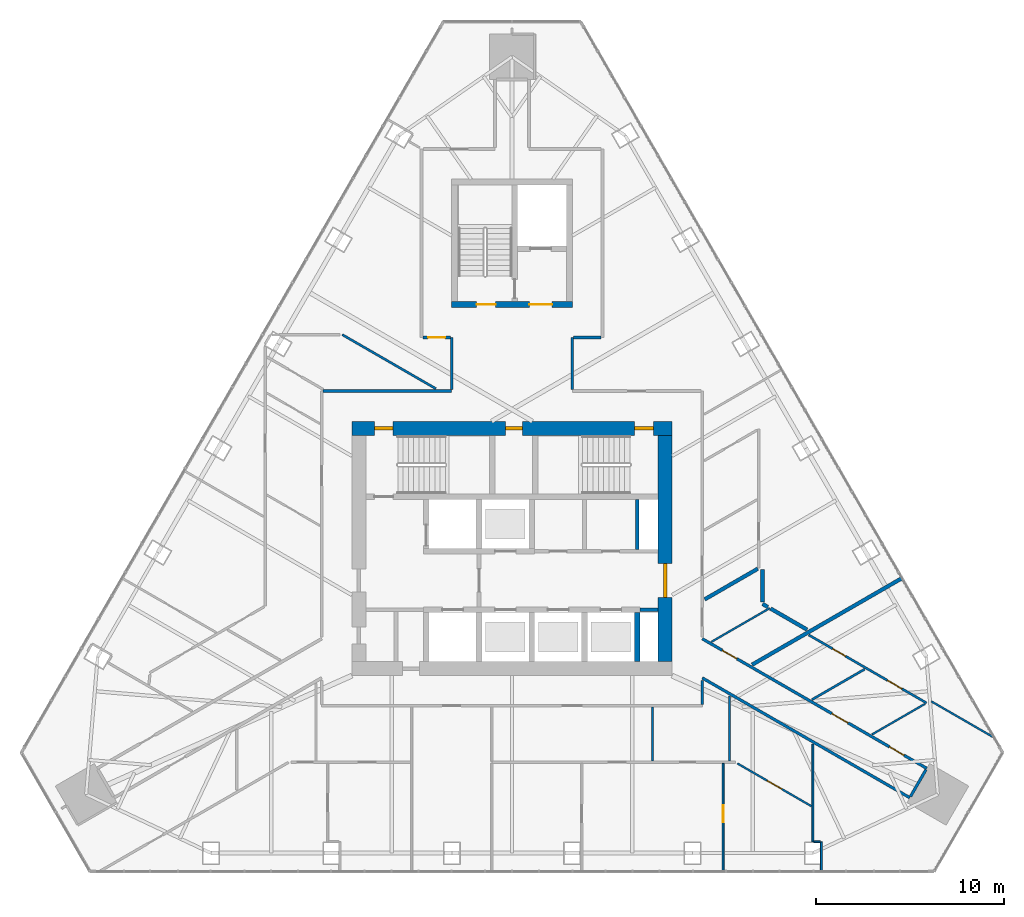
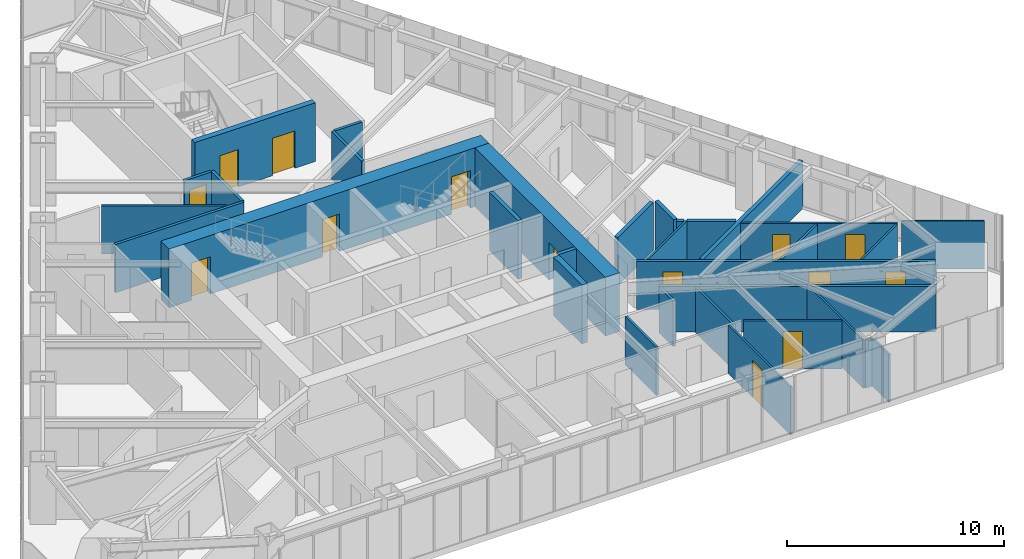
# One storey, part 18 of 21: 33 walls, 14 doors, 14 openings.
"""IFC4 building model written with IfcOpenShell, lengths in metres."""

from ifc_helpers import new_model, si_unit, direction, frame, frame_2d, origin, place, context, subcontext, project, spatial, rectangle, extrude, material, layer, layer_set, type_object, element, fill, save


model = new_model("IFC4")

# Units and contexts
model_context = context("Model", 3, precision=1e-05, world=origin(), true_north=direction((0.0, 1.0)))
body_context = subcontext(model_context, "Body", "Model", "MODEL_VIEW")
ifc_project = project(units=[si_unit("LENGTHUNIT", "METRE"), si_unit("AREAUNIT", "SQUARE_METRE"), si_unit("VOLUMEUNIT", "CUBIC_METRE"), si_unit("PLANEANGLEUNIT", "RADIAN"), si_unit("MASSUNIT", "GRAM", prefix="KILO")], contexts=[model_context])

# Site, building, storey
site_placement = place(None, origin())
site = spatial("IfcSite", under=ifc_project, at=site_placement, CompositionType="ELEMENT")
building_placement = place(site_placement, origin())
building = spatial("IfcBuilding", under=site, at=building_placement, Name="Firuza Gate Tower and Library", CompositionType="ELEMENT")
storey_placement = place(building_placement, frame((0.0, 0.0, 284.60009765625)))
storey = spatial("IfcBuildingStorey", under=building, at=storey_placement, Name="L68", CompositionType="ELEMENT", Elevation=284.60009765625)

# Walls
ifc_material_1 = material(Name="Plasterboard on steel studs", Category="steel")
ifc_layer_1 = layer(ifc_material_1, 0.199951171875)
ifc_layer_set_1 = layer_set([ifc_layer_1], Name="Core partition 200 EI 120")
wall_type_1 = type_object("IfcWallType", Name="Core partition 200 EI 120", PredefinedType="PARTITIONING", material=ifc_layer_set_1)
wall_1_placement = place(storey_placement, frame((81.800048828125, 71.75, 0.0), z_axis=(0.0, 0.0, 1.0), x_axis=(1.0, 0.0, 0.0)))
element("IfcWall", 1, at=wall_1_placement, inside=storey, type_object=wall_type_1, Name="Core partition L68 2", PredefinedType="PARTITIONING", context=body_context, shape_type="SweptSolid", body=[
    extrude(rectangle(XDim=0.949951171875, YDim=0.199951171875, at=frame_2d((0.47509765625, 0.0))), origin(), (0.0, 0.0, 1.0), 3.2998046875),
])
wall_2_placement = place(storey_placement, frame((81.64990234375, 74.949951171875, 0.0), z_axis=(0.0, 0.0, 1.0), x_axis=(0.0, 1.0, 0.0)))
element("IfcWall", 2, at=wall_2_placement, inside=storey, type_object=wall_type_1, Name="Core partition L68 7", PredefinedType="PARTITIONING", context=body_context, shape_type="SweptSolid", body=[
    extrude(rectangle(XDim=2.650146484375, YDim=0.199951171875, at=frame_2d((1.3251953125, 0.0))), origin(), (0.0, 0.0, 1.0), 3.2998046875),
])
ifc_material_2 = material(Name="Concrete C60/75", Category="concrete")
ifc_layer_2 = layer(ifc_material_2, 0.300048828125)
ifc_layer_set_2 = layer_set([ifc_layer_2], Name="Core wall 300 C60/75")
wall_type_2 = type_object("IfcWallType", Name="Core wall 300 C60/75", PredefinedType="SHEAR", material=ifc_layer_set_2)
wall_3_placement = place(storey_placement, frame((81.64990234375, 69.0, 0.0), z_axis=(0.0, 0.0, 1.0), x_axis=(0.0, 1.0, 0.0)))
element("IfcWall", 3, at=wall_3_placement, inside=storey, type_object=wall_type_2, Name="Core wall L68 14", PredefinedType="SHEAR", context=body_context, shape_type="SweptSolid", body=[
    extrude(rectangle(XDim=2.60009765625, YDim=0.300048828125, at=frame_2d((1.300048828125, 0.0))), origin(), (0.0, 0.0, 1.0), 3.2998046875),
])

# Wall, openings, doors
wall_4_placement = place(storey_placement, frame((71.800048828125, 87.949951171875, 0.0), z_axis=(0.0, 0.0, 1.0), x_axis=(1.0, 0.0, 0.0)))
wall_4 = element("IfcWall", 4, at=wall_4_placement, inside=storey, type_object=wall_type_2, Name="Core wall L68 18", PredefinedType="SHEAR", context=body_context, shape_type="SweptSolid", body=[
    extrude(rectangle(XDim=6.39990234375, YDim=0.300048828125, at=frame_2d((3.199951171875, 0.0))), origin(), (0.0, 0.0, 1.0), 3.2998046875),
])
opening_1_placement = place(wall_4_placement, frame((1.324951171875, 0.0, 0.0)))
opening_1 = element("IfcOpeningElement", 5, at=opening_1_placement, cuts=wall_4, Name="Opening L68-K11", PredefinedType="OPENING", context=body_context, shape_type="SweptSolid", body=[
    extrude(rectangle(XDim=1.0, YDim=2.10009765625, at=frame_2d((0.5, 1.050048828125))), frame((0.0, 0.16015625, 0.0), z_axis=(0.0, -1.0, 0.0), x_axis=(1.0, 0.0, 0.0)), (0.0, 0.0, 1.0), 0.320068359375),
])
opening_2_placement = place(wall_4_placement, frame((4.125, 0.0, 0.0)))
opening_2 = element("IfcOpeningElement", 6, at=opening_2_placement, cuts=wall_4, Name="Opening L68-K13", PredefinedType="OPENING", context=body_context, shape_type="SweptSolid", body=[
    extrude(rectangle(XDim=1.199951171875, YDim=2.10009765625, at=frame_2d((0.60009765625, 1.050048828125))), frame((0.0, 0.16015625, 0.0), z_axis=(0.0, -1.0, 0.0), x_axis=(1.0, 0.0, 0.0)), (0.0, 0.0, 1.0), 0.320068359375),
])
ifc_material_3 = material(Name="Steel", Category="steel")
door_type_1 = type_object("IfcDoorType", Name="Fire door 1000x2100 FD90", OperationType="NOTDEFINED", PredefinedType="DOOR", material=ifc_material_3)
door_1_placement = place(opening_1_placement, origin())
door_1 = element("IfcDoor", 7, at=door_1_placement, inside=storey, type_object=door_type_1, Name="Door L68-K11", OperationType="SINGLE_SWING_RIGHT", OverallHeight=2.10009765625, OverallWidth=1.0, PredefinedType="DOOR", context=body_context, shape_type="SweptSolid", body=[
    extrude(rectangle(XDim=1.0, YDim=2.10009765625, at=frame_2d((0.5, 1.050048828125))), frame((0.0, 0.02490234375, 0.0), z_axis=(0.0, -1.0, 0.0), x_axis=(1.0, 0.0, 0.0)), (0.0, 0.0, 1.0), 0.050048828125),
])
fill(opening_1, door_1)
ifc_material_4 = material(Name="Steel", Category="steel")
door_type_2 = type_object("IfcDoorType", Name="Fire door 1200x2100 FD30S", OperationType="NOTDEFINED", PredefinedType="DOOR", material=ifc_material_4)
door_2_placement = place(opening_2_placement, origin())
door_2 = element("IfcDoor", 8, at=door_2_placement, inside=storey, type_object=door_type_2, Name="Door L68-K13", OperationType="SINGLE_SWING_RIGHT", OverallHeight=2.10009765625, OverallWidth=1.199951171875, PredefinedType="DOOR", context=body_context, shape_type="SweptSolid", body=[
    extrude(rectangle(XDim=1.199951171875, YDim=2.10009765625, at=frame_2d((0.60009765625, 1.050048828125))), frame((0.0, 0.02490234375, 0.0), z_axis=(0.0, -1.0, 0.0), x_axis=(1.0, 0.0, 0.0)), (0.0, 0.0, 1.0), 0.050048828125),
])
fill(opening_2, door_2)

ifc_material_5 = material(Name="Concrete C60/75", Category="concrete")
ifc_layer_3 = layer(ifc_material_5, 0.75)
ifc_layer_set_3 = layer_set([ifc_layer_3], Name="Core wall 750 C60/75")
wall_type_3 = type_object("IfcWallType", Name="Core wall 750 C60/75", PredefinedType="SHEAR", material=ifc_layer_set_3)
wall_5_placement = place(storey_placement, frame((66.5, 81.375, 0.0), z_axis=(0.0, 0.0, 1.0), x_axis=(1.0, 0.0, 0.0)))
wall_5 = element("IfcWall", 9, at=wall_5_placement, inside=storey, type_object=wall_type_3, Name="Core wall L68 2", PredefinedType="SHEAR", context=body_context, shape_type="SweptSolid", body=[
    extrude(rectangle(XDim=17.0, YDim=0.75, at=frame_2d((8.5, 0.0))), origin(), (0.0, 0.0, 1.0), 3.2998046875),
])
opening_3_placement = place(wall_5_placement, frame((1.195068359375, 0.0, 0.0)))
opening_3 = element("IfcOpeningElement", 10, at=opening_3_placement, cuts=wall_5, Name="Opening L68-K09", PredefinedType="OPENING", context=body_context, shape_type="SweptSolid", body=[
    extrude(rectangle(XDim=1.0, YDim=2.10009765625, at=frame_2d((0.5, 1.050048828125))), frame((0.0, 0.385009765625, 0.0), z_axis=(0.0, -1.0, 0.0), x_axis=(1.0, 0.0, 0.0)), (0.0, 0.0, 1.0), 0.77001953125),
])
opening_4_placement = place(wall_5_placement, frame((15.0048828125, 0.0, 0.0)))
opening_4 = element("IfcOpeningElement", 11, at=opening_4_placement, cuts=wall_5, Name="Opening L68-K10", PredefinedType="OPENING", context=body_context, shape_type="SweptSolid", body=[
    extrude(rectangle(XDim=1.0, YDim=2.10009765625, at=frame_2d((0.5, 1.050048828125))), frame((0.0, 0.385009765625, 0.0), z_axis=(0.0, -1.0, 0.0), x_axis=(1.0, 0.0, 0.0)), (0.0, 0.0, 1.0), 0.77001953125),
])
opening_5_placement = place(wall_5_placement, frame((8.14990234375, 0.0, 0.0)))
opening_5 = element("IfcOpeningElement", 12, at=opening_5_placement, cuts=wall_5, Name="Opening L68-K21", PredefinedType="OPENING", context=body_context, shape_type="SweptSolid", body=[
    extrude(rectangle(XDim=0.89990234375, YDim=2.10009765625, at=frame_2d((0.449951171875, 1.050048828125))), frame((0.0, 0.385009765625, 0.0), z_axis=(0.0, -1.0, 0.0), x_axis=(1.0, 0.0, 0.0)), (0.0, 0.0, 1.0), 0.77001953125),
])
door_3_placement = place(opening_3_placement, origin())
door_3 = element("IfcDoor", 13, at=door_3_placement, inside=storey, type_object=door_type_1, Name="Door L68-K09", OperationType="SINGLE_SWING_RIGHT", OverallHeight=2.10009765625, OverallWidth=1.0, PredefinedType="DOOR", context=body_context, shape_type="SweptSolid", body=[
    extrude(rectangle(XDim=1.0, YDim=2.10009765625, at=frame_2d((0.5, 1.050048828125))), frame((0.0, 0.094970703125, 0.0), z_axis=(0.0, -1.0, 0.0), x_axis=(1.0, 0.0, 0.0)), (0.0, 0.0, 1.0), 0.18994140625),
])
fill(opening_3, door_3)
door_4_placement = place(opening_4_placement, origin())
door_4 = element("IfcDoor", 14, at=door_4_placement, inside=storey, type_object=door_type_1, Name="Door L68-K10", OperationType="SINGLE_SWING_LEFT", OverallHeight=2.10009765625, OverallWidth=1.0, PredefinedType="DOOR", context=body_context, shape_type="SweptSolid", body=[
    extrude(rectangle(XDim=1.0, YDim=2.10009765625, at=frame_2d((0.5, 1.050048828125))), frame((0.0, 0.094970703125, 0.0), z_axis=(0.0, -1.0, 0.0), x_axis=(1.0, 0.0, 0.0)), (0.0, 0.0, 1.0), 0.18994140625),
])
fill(opening_4, door_4)
ifc_material_6 = material(Name="Steel", Category="steel")
door_type_3 = type_object("IfcDoorType", Name="Fire door 900x2100 FD30S", OperationType="NOTDEFINED", PredefinedType="DOOR", material=ifc_material_6)
door_5_placement = place(opening_5_placement, origin())
door_5 = element("IfcDoor", 15, at=door_5_placement, inside=storey, type_object=door_type_3, Name="Door L68-K21", OperationType="SINGLE_SWING_RIGHT", OverallHeight=2.10009765625, OverallWidth=0.89990234375, PredefinedType="DOOR", context=body_context, shape_type="SweptSolid", body=[
    extrude(rectangle(XDim=0.89990234375, YDim=2.10009765625, at=frame_2d((0.449951171875, 1.050048828125))), frame((0.0, 0.094970703125, 0.0), z_axis=(0.0, -1.0, 0.0), x_axis=(1.0, 0.0, 0.0)), (0.0, 0.0, 1.0), 0.18994140625),
])
fill(opening_5, door_5)

# Wall, opening, door
wall_6_placement = place(storey_placement, frame((83.125, 69.0, 0.0), z_axis=(0.0, 0.0, 1.0), x_axis=(0.0, 1.0, 0.0)))
wall_6 = element("IfcWall", 16, at=wall_6_placement, inside=storey, type_object=wall_type_3, Name="Core wall L68 4", PredefinedType="SHEAR", context=body_context, shape_type="SweptSolid", body=[
    extrude(rectangle(XDim=12.0, YDim=0.75, at=frame_2d((6.0, 0.0))), origin(), (0.0, 0.0, 1.0), 3.2998046875),
])
opening_6_placement = place(wall_6_placement, frame((3.39990234375, 0.0, 0.0)))
opening_6 = element("IfcOpeningElement", 17, at=opening_6_placement, cuts=wall_6, Name="Opening L68-K16", PredefinedType="OPENING", context=body_context, shape_type="SweptSolid", body=[
    extrude(rectangle(XDim=1.800048828125, YDim=2.10009765625, at=frame_2d((0.89990234375, 1.050048828125))), frame((0.0, 0.385009765625, 0.0), z_axis=(0.0, -1.0, 0.0), x_axis=(1.0, 0.0, 0.0)), (0.0, 0.0, 1.0), 0.77001953125),
])
ifc_material_7 = material(Name="Steel", Category="steel")
door_type_4 = type_object("IfcDoorType", Name="Fire door 1800x2100 FD30S", OperationType="NOTDEFINED", PredefinedType="DOOR", material=ifc_material_7)
door_6_placement = place(opening_6_placement, origin())
door_6 = element("IfcDoor", 18, at=door_6_placement, inside=storey, type_object=door_type_4, Name="Door L68-K16", OperationType="SINGLE_SWING_LEFT", OverallHeight=2.10009765625, OverallWidth=1.800048828125, PredefinedType="DOOR", context=body_context, shape_type="SweptSolid", body=[
    extrude(rectangle(XDim=1.800048828125, YDim=2.10009765625, at=frame_2d((0.89990234375, 1.050048828125))), frame((0.0, 0.094970703125, 0.0), z_axis=(0.0, -1.0, 0.0), x_axis=(1.0, 0.0, 0.0)), (0.0, 0.0, 1.0), 0.18994140625),
])
fill(opening_6, door_6)

# Wall
ifc_material_8 = material(Name="Gypsum board partition")
ifc_layer_4 = layer(ifc_material_8, 0.14990234375)
ifc_layer_set_4 = layer_set([ifc_layer_4], Name="Corridor wall 150 double board on steel studs")
wall_type_4 = type_object("IfcWallType", Name="Corridor wall 150 double board on steel studs", PredefinedType="PARTITIONING", material=ifc_layer_set_4)
wall_7_placement = place(storey_placement, frame((64.97509765625, 83.35009765625, 0.0), z_axis=(0.0, 0.0, 1.0), x_axis=(1.0, 0.0, 0.0)))
element("IfcWall", 19, at=wall_7_placement, inside=storey, type_object=wall_type_4, Name="f:L68:w005", PredefinedType="PARTITIONING", context=body_context, shape_type="SweptSolid", body=[
    extrude(rectangle(XDim=6.824951171875, YDim=0.14990234375, at=frame_2d((3.41259765625, 0.0))), origin(), (0.0, 0.0, 1.0), 2.699951171875),
])

# Wall, opening, door
wall_8_placement = place(storey_placement, frame((70.275634765625, 86.199951171875, 0.0), z_axis=(0.0, 0.0, 1.0), x_axis=(1.0, 0.0, 0.0)))
wall_8 = element("IfcWall", 20, at=wall_8_placement, inside=storey, type_object=wall_type_4, Name="f:L68:w007", PredefinedType="PARTITIONING", context=body_context, shape_type="SweptSolid", body=[
    extrude(rectangle(XDim=1.44921875, YDim=0.14990234375, at=frame_2d((0.724609375, 0.0))), origin(), (0.0, 0.0, 1.0), 2.699951171875),
])
opening_7_placement = place(wall_8_placement, frame((0.274658203125, 0.0, 0.0)))
opening_7 = element("IfcOpeningElement", 21, at=opening_7_placement, cuts=wall_8, Name="Opening L68-08", PredefinedType="OPENING", context=body_context, shape_type="SweptSolid", body=[
    extrude(rectangle(XDim=0.89990234375, YDim=2.10009765625, at=frame_2d((0.449951171875, 1.050048828125))), frame((0.0, 0.0849609375, 0.0), z_axis=(0.0, -1.0, 0.0), x_axis=(1.0, 0.0, 0.0)), (0.0, 0.0, 1.0), 0.169921875),
])
ifc_material_9 = material(Name="Steel door and timber leaf", Category="steel")
door_type_5 = type_object("IfcDoorType", Name="Fire door 900 x 2100 steel frame, timber leaf", OperationType="NOTDEFINED", PredefinedType="DOOR", material=ifc_material_9)
door_7_placement = place(opening_7_placement, origin())
door_7 = element("IfcDoor", 22, at=door_7_placement, inside=storey, type_object=door_type_5, Name="f:L68:d008", OperationType="SINGLE_SWING_RIGHT", OverallHeight=2.10009765625, OverallWidth=0.89990234375, PredefinedType="DOOR", context=body_context, shape_type="SweptSolid", body=[
    extrude(rectangle(XDim=0.89990234375, YDim=2.10009765625, at=frame_2d((0.449951171875, 1.050048828125))), frame((0.0, 0.02490234375, 0.0), z_axis=(0.0, -1.0, 0.0), x_axis=(1.0, 0.0, 0.0)), (0.0, 0.0, 1.0), 0.050048828125),
])
fill(opening_7, door_7)

# Walls
wall_9_placement = place(storey_placement, frame((78.275146484375, 86.199951171875, 0.0), z_axis=(0.0, 0.0, 1.0), x_axis=(1.0, 0.0, 0.0)))
element("IfcWall", 23, at=wall_9_placement, inside=storey, type_object=wall_type_4, Name="f:L68:w008", PredefinedType="PARTITIONING", context=body_context, shape_type="SweptSolid", body=[
    extrude(rectangle(XDim=1.44775390625, YDim=0.14990234375, at=frame_2d((0.723876953125, 0.0))), origin(), (0.0, 0.0, 1.0), 2.699951171875),
])
wall_10_placement = place(storey_placement, frame((96.15283203125, 61.83544921875, 0.0), z_axis=(0.0, 0.0, 1.0), x_axis=(0.500008692254, 0.866020385251, 0.0)))
element("IfcWall", 24, at=wall_10_placement, inside=storey, type_object=wall_type_4, Name="f:L68:w029", PredefinedType="PARTITIONING", context=body_context, shape_type="SweptSolid", body=[
    extrude(rectangle(XDim=1.64892578125, YDim=0.14990234375, at=frame_2d((0.824462890625, 0.0))), origin(), (0.0, 0.0, 1.0), 2.546875),
])
wall_11_placement = place(storey_placement, frame((85.10009765625, 66.72509765625, 0.0), z_axis=(0.0, 0.0, 1.0), x_axis=(0.0, 1.0, 0.0)))
element("IfcWall", 25, at=wall_11_placement, inside=storey, type_object=wall_type_4, Name="f:L68:w041", PredefinedType="PARTITIONING", context=body_context, shape_type="SweptSolid", body=[
    extrude(rectangle(XDim=1.267822265625, YDim=0.14990234375, at=frame_2d((0.6337890625, 0.0))), origin(), (0.0, 0.0, 1.0), 2.546875),
])
for number, where, z_axis, x_axis, name in (
    (26, (78.199951171875, 83.425048828125, 0.0), (0.0, 0.0, 1.0), (0.0, 1.0, 0.0), "f:L68:w046"),
    (27, (71.800048828125, 83.425048828125, 0.0), (0.0, 0.0, 1.0), (0.0, 1.0, 0.0), "f:L68:w052"),
):
    element("IfcWall", number, at=place(storey_placement, frame(where, z_axis=z_axis, x_axis=x_axis)), inside=storey, type_object=wall_type_4, Name=name, PredefinedType="PARTITIONING", context=body_context, shape_type="SweptSolid", body=[
        extrude(rectangle(XDim=2.77490234375, YDim=0.14990234375, at=frame_2d((1.387451171875, 0.0))), origin(), (0.0, 0.0, 1.0), 2.697021484375),
    ])

# Wall, openings, doors
wall_12_placement = place(storey_placement, frame((97.01416015625, 63.329345703125, 0.0), z_axis=(0.0, 0.0, 1.0), x_axis=(-0.866023045711, 0.500004084281, 0.0)))
wall_12 = element("IfcWall", 28, at=wall_12_placement, inside=storey, type_object=wall_type_4, Name="f:L68:w071", PredefinedType="PARTITIONING", context=body_context, shape_type="SweptSolid", body=[
    extrude(rectangle(XDim=13.75732421875, YDim=0.14990234375, at=frame_2d((6.878662109375, 0.0))), origin(), (0.0, 0.0, 1.0), 2.699951171875),
])
opening_8_placement = place(wall_12_placement, frame((1.389892578125, 0.0, 0.0)))
opening_8 = element("IfcOpeningElement", 29, at=opening_8_placement, cuts=wall_12, Name="Opening L68-27", PredefinedType="OPENING", context=body_context, shape_type="SweptSolid", body=[
    extrude(rectangle(XDim=0.89990234375, YDim=2.10009765625, at=frame_2d((0.449951171875, 1.050048828125))), frame((0.0, 0.0849609375, 0.0), z_axis=(0.0, -1.0, 0.0), x_axis=(1.0, 0.0, 0.0)), (0.0, 0.0, 1.0), 0.169921875),
])
opening_9_placement = place(wall_12_placement, frame((4.821044921875, 0.0, 0.0)))
opening_9 = element("IfcOpeningElement", 30, at=opening_9_placement, cuts=wall_12, Name="Opening L68-28", PredefinedType="OPENING", context=body_context, shape_type="SweptSolid", body=[
    extrude(rectangle(XDim=1.0, YDim=2.10009765625, at=frame_2d((0.5, 1.050048828125))), frame((0.0, 0.0849609375, 0.0), z_axis=(0.0, -1.0, 0.0), x_axis=(1.0, 0.0, 0.0)), (0.0, 0.0, 1.0), 0.169921875),
])
opening_10_placement = place(wall_12_placement, frame((11.634033203125, 0.0, 0.0)))
opening_10 = element("IfcOpeningElement", 31, at=opening_10_placement, cuts=wall_12, Name="Opening L68-29", PredefinedType="OPENING", context=body_context, shape_type="SweptSolid", body=[
    extrude(rectangle(XDim=0.89990234375, YDim=2.10009765625, at=frame_2d((0.449951171875, 1.050048828125))), frame((0.0, 0.0849609375, 0.0), z_axis=(0.0, -1.0, 0.0), x_axis=(1.0, 0.0, 0.0)), (0.0, 0.0, 1.0), 0.169921875),
])
ifc_material_10 = material(Name="Steel door and timber leaf", Category="steel")
door_type_6 = type_object("IfcDoorType", Name="Fire door 1000 x 2100 steel frame, timber leaf", OperationType="NOTDEFINED", PredefinedType="DOOR", material=ifc_material_10)
door_8_placement = place(opening_9_placement, origin())
door_8 = element("IfcDoor", 32, at=door_8_placement, inside=storey, type_object=door_type_6, Name="f:L68:d028", OperationType="SINGLE_SWING_LEFT", OverallHeight=2.10009765625, OverallWidth=1.0, PredefinedType="DOOR", context=body_context, shape_type="SweptSolid", body=[
    extrude(rectangle(XDim=1.0, YDim=2.10009765625, at=frame_2d((0.5, 1.050048828125))), frame((0.0, 0.02490234375, 0.0), z_axis=(0.0, -1.0, 0.0), x_axis=(1.0, 0.0, 0.0)), (0.0, 0.0, 1.0), 0.050048828125),
])
fill(opening_9, door_8)
door_9_placement = place(opening_8_placement, origin())
door_9 = element("IfcDoor", 33, at=door_9_placement, inside=storey, type_object=door_type_5, Name="f:L68:d027", OperationType="SINGLE_SWING_LEFT", OverallHeight=2.10009765625, OverallWidth=0.89990234375, PredefinedType="DOOR", context=body_context, shape_type="SweptSolid", body=[
    extrude(rectangle(XDim=0.89990234375, YDim=2.10009765625, at=frame_2d((0.449951171875, 1.050048828125))), frame((0.0, 0.02490234375, 0.0), z_axis=(0.0, -1.0, 0.0), x_axis=(1.0, 0.0, 0.0)), (0.0, 0.0, 1.0), 0.050048828125),
])
fill(opening_8, door_9)
door_10_placement = place(opening_10_placement, origin())
door_10 = element("IfcDoor", 34, at=door_10_placement, inside=storey, type_object=door_type_5, Name="f:L68:d029", OperationType="SINGLE_SWING_LEFT", OverallHeight=2.10009765625, OverallWidth=0.89990234375, PredefinedType="DOOR", context=body_context, shape_type="SweptSolid", body=[
    extrude(rectangle(XDim=0.89990234375, YDim=2.10009765625, at=frame_2d((0.449951171875, 1.050048828125))), frame((0.0, 0.02490234375, 0.0), z_axis=(0.0, -1.0, 0.0), x_axis=(1.0, 0.0, 0.0)), (0.0, 0.0, 1.0), 0.050048828125),
])
fill(opening_10, door_10)

# Walls
wall_13_placement = place(storey_placement, frame((96.1142578125, 61.7705078125, 0.0), z_axis=(0.0, 0.0, 1.0), x_axis=(-0.866021912989, 0.500006046186, 0.0)))
element("IfcWall", 35, at=wall_13_placement, inside=storey, type_object=wall_type_4, Name="f:L68:w073", PredefinedType="PARTITIONING", context=body_context, shape_type="SweptSolid", body=[
    extrude(rectangle(XDim=12.718017578125, YDim=0.14990234375, at=frame_2d((6.35888671875, 0.0))), origin(), (0.0, 0.0, 1.0), 2.546875),
])
ifc_material_11 = material(Name="Gypsum board partition")
ifc_layer_5 = layer(ifc_material_11, 0.199951171875)
ifc_layer_set_5 = layer_set([ifc_layer_5], Name="Demising wall 200 acoustic double stud")
wall_type_5 = type_object("IfcWallType", Name="Demising wall 200 acoustic double stud", PredefinedType="PARTITIONING", material=ifc_layer_set_5)
wall_14_placement = place(storey_placement, frame((87.74072265625, 68.829833984375, 0.0), z_axis=(0.0, 0.0, 1.0), x_axis=(0.866026579827, 0.499997963029, 0.0)))
element("IfcWall", 36, at=wall_14_placement, inside=storey, type_object=wall_type_5, Name="f:L68:w017", PredefinedType="PARTITIONING", context=body_context, shape_type="SweptSolid", body=[
    extrude(rectangle(XDim=9.17919921875, YDim=0.199951171875, at=frame_2d((4.589599609375, 0.0))), origin(), (0.0, 0.0, 1.0), 2.68798828125),
])
wall_15_placement = place(storey_placement, frame((85.226806640625, 72.29736328125, 0.0), z_axis=(0.0, 0.0, 1.0), x_axis=(0.866002113569, 0.500040337666, 0.0)))
element("IfcWall", 37, at=wall_15_placement, inside=storey, type_object=wall_type_5, Name="f:L68:w019", PredefinedType="PARTITIONING", context=body_context, shape_type="SweptSolid", body=[
    extrude(rectangle(XDim=3.257568359375, YDim=0.199951171875, at=frame_2d((1.62890625, 0.0))), origin(), (0.0, 0.0, 1.0), 2.699951171875),
])
wall_16_placement = place(storey_placement, frame((88.300048828125, 72.17138671875, 0.0), z_axis=(0.0, 0.0, 1.0), x_axis=(0.0, 1.0, 0.0)))
element("IfcWall", 38, at=wall_16_placement, inside=storey, type_object=wall_type_5, Name="f:L68:w037", PredefinedType="PARTITIONING", context=body_context, shape_type="SweptSolid", body=[
    extrude(rectangle(XDim=1.7236328125, YDim=0.199951171875, at=frame_2d((0.86181640625, 0.0))), origin(), (0.0, 0.0, 1.0), 2.699951171875),
])
wall_17_placement = place(storey_placement, frame((90.66162109375, 70.692138671875, 0.0), z_axis=(0.0, 0.0, 1.0), x_axis=(-0.866034963436, 0.499983441833, 0.0)))
element("IfcWall", 39, at=wall_17_placement, inside=storey, type_object=wall_type_5, Name="f:L68:w068", PredefinedType="PARTITIONING", context=body_context, shape_type="SweptSolid", body=[
    extrude(rectangle(XDim=2.240234375, YDim=0.199951171875, at=frame_2d((1.1201171875, 0.0))), origin(), (0.0, 0.0, 1.0), 2.699951171875),
])
wall_18_placement = place(storey_placement, frame((88.583984375, 71.8916015625, 0.0), z_axis=(0.0, 0.0, 1.0), x_axis=(-0.865987003449, 0.500066505434, 0.0)))
element("IfcWall", 40, at=wall_18_placement, inside=storey, type_object=wall_type_5, Name="f:L68:w082", PredefinedType="PARTITIONING", context=body_context, shape_type="SweptSolid", body=[
    extrude(rectangle(XDim=0.32763671875, YDim=0.199951171875, at=frame_2d((0.163818359375, 0.0))), origin(), (0.0, 0.0, 1.0), 2.699951171875),
])
ifc_material_12 = material(Name="Gypsum board partition")
ifc_layer_6 = layer(ifc_material_12, 0.10009765625)
ifc_layer_set_6 = layer_set([ifc_layer_6], Name="Partition 100 gypsum board on steel studs")
wall_type_6 = type_object("IfcWallType", Name="Partition 100 gypsum board on steel studs", PredefinedType="PARTITIONING", material=ifc_layer_set_6)
wall_19_placement = place(storey_placement, frame((91.0234375, 59.431884765625, 0.0), z_axis=(0.0, 0.0, 1.0), x_axis=(1.0, 0.0, 0.0)))
element("IfcWall", 41, at=wall_19_placement, inside=storey, type_object=wall_type_6, Name="f:L68:w001", PredefinedType="PARTITIONING", context=body_context, shape_type="SweptSolid", body=[
    extrude(rectangle(XDim=0.349365234375, YDim=0.10009765625, at=frame_2d((0.1748046875, 0.0))), origin(), (0.0, 0.0, 1.0), 2.699951171875),
])
wall_20_placement = place(storey_placement, frame((94.10400390625, 65.126220703125, 0.0), z_axis=(0.0, 0.0, 1.0), x_axis=(0.866000336211, 0.500043415797, 0.0)))
element("IfcWall", 42, at=wall_20_placement, inside=storey, type_object=wall_type_6, Name="f:L68:w015", PredefinedType="PARTITIONING", context=body_context, shape_type="SweptSolid", body=[
    extrude(rectangle(XDim=3.248291015625, YDim=0.10009765625, at=frame_2d((1.6240234375, 0.0))), origin(), (0.0, 0.0, 1.0), 2.699951171875),
])
wall_21_placement = place(storey_placement, frame((85.5849609375, 70.044677734375, 0.0), z_axis=(0.0, 0.0, 1.0), x_axis=(0.866004928679, 0.500035462246, 0.0)))
element("IfcWall", 43, at=wall_21_placement, inside=storey, type_object=wall_type_6, Name="f:L68:w018", PredefinedType="PARTITIONING", context=body_context, shape_type="SweptSolid", body=[
    extrude(rectangle(XDim=3.578369140625, YDim=0.10009765625, at=frame_2d((1.7890625, 0.0))), origin(), (0.0, 0.0, 1.0), 2.699951171875),
])
wall_22_placement = place(storey_placement, frame((91.423095703125, 57.8720703125, 0.0), z_axis=(0.0, 0.0, 1.0), x_axis=(0.0, 1.0, 0.0)))
element("IfcWall", 44, at=wall_22_placement, inside=storey, type_object=wall_type_6, Name="f:L68:w035", PredefinedType="PARTITIONING", context=body_context, shape_type="SweptSolid", body=[
    extrude(rectangle(XDim=1.559326171875, YDim=0.10009765625, at=frame_2d((0.77978515625, 0.0))), origin(), (0.0, 0.0, 1.0), 2.699951171875),
])
wall_23_placement = place(storey_placement, frame((90.972900390625, 59.431884765625, 0.0), z_axis=(0.0, 0.0, 1.0), x_axis=(0.0, 1.0, 0.0)))
element("IfcWall", 45, at=wall_23_placement, inside=storey, type_object=wall_type_6, Name="f:L68:w036", PredefinedType="PARTITIONING", context=body_context, shape_type="SweptSolid", body=[
    extrude(rectangle(XDim=5.18994140625, YDim=0.10009765625, at=frame_2d((2.594970703125, 0.0))), origin(), (0.0, 0.0, 1.0), 2.699951171875),
])

# Wall, opening, door
wall_24_placement = place(storey_placement, frame((86.202880859375, 63.590087890625, 0.0), z_axis=(0.0, 0.0, 1.0), x_axis=(0.0, -1.0, 0.0)))
wall_24 = element("IfcWall", 46, at=wall_24_placement, inside=storey, type_object=wall_type_6, Name="f:L68:w040", PredefinedType="PARTITIONING", context=body_context, shape_type="SweptSolid", body=[
    extrude(rectangle(XDim=5.718017578125, YDim=0.10009765625, at=frame_2d((2.85888671875, 0.0))), origin(), (0.0, 0.0, 1.0), 2.699951171875),
])
opening_11_placement = place(wall_24_placement, frame((2.22900390625, 0.0, 0.0)))
opening_11 = element("IfcOpeningElement", 47, at=opening_11_placement, cuts=wall_24, Name="Opening L68-17", PredefinedType="OPENING", context=body_context, shape_type="SweptSolid", body=[
    extrude(rectangle(XDim=0.89990234375, YDim=2.10009765625, at=frame_2d((0.449951171875, 1.050048828125))), frame((0.0, 0.06005859375, 0.0), z_axis=(0.0, -1.0, 0.0), x_axis=(1.0, 0.0, 0.0)), (0.0, 0.0, 1.0), 0.1201171875),
])
ifc_material_13 = material(Name="Timber door", Category="wood")
door_type_7 = type_object("IfcDoorType", Name="Door 900 x 2100 timber leaf", OperationType="NOTDEFINED", PredefinedType="DOOR", material=ifc_material_13)
door_11_placement = place(opening_11_placement, origin())
door_11 = element("IfcDoor", 48, at=door_11_placement, inside=storey, type_object=door_type_7, Name="f:L68:d017", OperationType="SINGLE_SWING_LEFT", OverallHeight=2.10009765625, OverallWidth=0.89990234375, PredefinedType="DOOR", context=body_context, shape_type="SweptSolid", body=[
    extrude(rectangle(XDim=0.89990234375, YDim=2.10009765625, at=frame_2d((0.449951171875, 1.050048828125))), frame((0.0, 0.02490234375, 0.0), z_axis=(0.0, -1.0, 0.0), x_axis=(1.0, 0.0, 0.0)), (0.0, 0.0, 1.0), 0.050048828125),
])
fill(opening_11, door_11)

# Wall
wall_25_placement = place(storey_placement, frame((100.56640625, 64.9736328125, 0.0), z_axis=(0.0, 0.0, 1.0), x_axis=(-0.8660389038, 0.499976616558, 0.0)))
element("IfcWall", 49, at=wall_25_placement, inside=storey, type_object=wall_type_6, Name="f:L68:w067", PredefinedType="PARTITIONING", context=body_context, shape_type="SweptSolid", body=[
    extrude(rectangle(XDim=3.824951171875, YDim=0.10009765625, at=frame_2d((1.91259765625, 0.0))), origin(), (0.0, 0.0, 1.0), 2.699951171875),
])

# Wall, opening, door
wall_26_placement = place(storey_placement, frame((86.962646484375, 63.590087890625, 0.0), z_axis=(0.0, 0.0, 1.0), x_axis=(0.866028993663, -0.499993782096, 0.0)))
wall_26 = element("IfcWall", 50, at=wall_26_placement, inside=storey, type_object=wall_type_6, Name="f:L68:w074", PredefinedType="PARTITIONING", context=body_context, shape_type="SweptSolid", body=[
    extrude(rectangle(XDim=4.54345703125, YDim=0.10009765625, at=frame_2d((2.271728515625, 0.0))), origin(), (0.0, 0.0, 1.0), 2.699951171875),
])
opening_12_placement = place(wall_26_placement, frame((1.82177734375, 0.0, 0.0)))
opening_12 = element("IfcOpeningElement", 51, at=opening_12_placement, cuts=wall_26, Name="Opening L68-31", PredefinedType="OPENING", context=body_context, shape_type="SweptSolid", body=[
    extrude(rectangle(XDim=0.89990234375, YDim=2.10009765625, at=frame_2d((0.449951171875, 1.050048828125))), frame((0.0, 0.06005859375, 0.0), z_axis=(0.0, -1.0, 0.0), x_axis=(1.0, 0.0, 0.0)), (0.0, 0.0, 1.0), 0.1201171875),
])
door_12_placement = place(opening_12_placement, origin())
door_12 = element("IfcDoor", 52, at=door_12_placement, inside=storey, type_object=door_type_7, Name="f:L68:d031", OperationType="SINGLE_SWING_LEFT", OverallHeight=2.10009765625, OverallWidth=0.89990234375, PredefinedType="DOOR", context=body_context, shape_type="SweptSolid", body=[
    extrude(rectangle(XDim=0.89990234375, YDim=2.10009765625, at=frame_2d((0.449951171875, 1.050048828125))), frame((0.0, 0.02490234375, 0.0), z_axis=(0.0, -1.0, 0.0), x_axis=(1.0, 0.0, 0.0)), (0.0, 0.0, 1.0), 0.050048828125),
])
fill(opening_12, door_12)

# Walls
ifc_material_14 = material(Name="Gypsum board partition")
ifc_layer_7 = layer(ifc_material_14, 0.1201171875)
ifc_layer_set_7 = layer_set([ifc_layer_7], Name="Wet-area partition 120 moisture-resistant board")
wall_type_7 = type_object("IfcWallType", Name="Wet-area partition 120 moisture-resistant board", PredefinedType="PARTITIONING", material=ifc_layer_set_7)
wall_27_placement = place(storey_placement, frame((90.918212890625, 66.97509765625, 0.0), z_axis=(0.0, 0.0, 1.0), x_axis=(0.86605210011, 0.499953757757, 0.0)))
element("IfcWall", 53, at=wall_27_placement, inside=storey, type_object=wall_type_7, Name="f:L68:w016", PredefinedType="PARTITIONING", context=body_context, shape_type="SweptSolid", body=[
    extrude(rectangle(XDim=3.228271484375, YDim=0.1201171875, at=frame_2d((1.6142578125, 0.0))), origin(), (0.0, 0.0, 1.0), 2.699951171875),
])
wall_28_placement = place(storey_placement, frame((86.5419921875, 63.7099609375, 0.0), z_axis=(0.0, 0.0, 1.0), x_axis=(0.0, 1.0, 0.0)))
element("IfcWall", 54, at=wall_28_placement, inside=storey, type_object=wall_type_7, Name="f:L68:w039", PredefinedType="PARTITIONING", context=body_context, shape_type="SweptSolid", body=[
    extrude(rectangle(XDim=3.46044921875, YDim=0.1201171875, at=frame_2d((1.730224609375, 0.0))), origin(), (0.0, 0.0, 1.0), 2.546875),
])
wall_29_placement = place(storey_placement, frame((82.4541015625, 63.7099609375, 0.0), z_axis=(0.0, 0.0, 1.0), x_axis=(0.0, 1.0, 0.0)))
element("IfcWall", 55, at=wall_29_placement, inside=storey, type_object=wall_type_7, Name="f:L68:w043", PredefinedType="PARTITIONING", context=body_context, shape_type="SweptSolid", body=[
    extrude(rectangle(XDim=2.864990234375, YDim=0.1201171875, at=frame_2d((1.4326171875, 0.0))), origin(), (0.0, 0.0, 1.0), 2.699951171875),
])
wall_30_placement = place(storey_placement, frame((70.9609375, 83.479736328125, 0.0), z_axis=(0.0, 0.0, 1.0), x_axis=(-0.86603330177, 0.499986320039, 0.0)))
element("IfcWall", 56, at=wall_30_placement, inside=storey, type_object=wall_type_7, Name="f:L68:w066", PredefinedType="PARTITIONING", context=body_context, shape_type="SweptSolid", body=[
    extrude(rectangle(XDim=5.739990234375, YDim=0.1201171875, at=frame_2d((2.8701171875, 0.0))), origin(), (0.0, 0.0, 1.0), 2.699951171875),
])

# Wall, openings, doors
wall_31_placement = place(storey_placement, frame((97.003173828125, 66.7998046875, 0.0), z_axis=(0.0, 0.0, 1.0), x_axis=(-0.866012764826, 0.500021890679, 0.0)))
wall_31 = element("IfcWall", 57, at=wall_31_placement, inside=storey, type_object=wall_type_7, Name="f:L68:w069", PredefinedType="PARTITIONING", context=body_context, shape_type="SweptSolid", body=[
    extrude(rectangle(XDim=7.222412109375, YDim=0.1201171875, at=frame_2d((3.611328125, 0.0))), origin(), (0.0, 0.0, 1.0), 2.699951171875),
])
opening_13_placement = place(wall_31_placement, frame((1.49609375, 0.0, 0.0)))
opening_13 = element("IfcOpeningElement", 58, at=opening_13_placement, cuts=wall_31, Name="Opening L68-24", PredefinedType="OPENING", context=body_context, shape_type="SweptSolid", body=[
    extrude(rectangle(XDim=0.89990234375, YDim=2.10009765625, at=frame_2d((0.449951171875, 1.050048828125))), frame((0.0, 0.070068359375, 0.0), z_axis=(0.0, -1.0, 0.0), x_axis=(1.0, 0.0, 0.0)), (0.0, 0.0, 1.0), 0.14013671875),
])
opening_14_placement = place(wall_31_placement, frame((4.95556640625, 0.0, 0.0)))
opening_14 = element("IfcOpeningElement", 59, at=opening_14_placement, cuts=wall_31, Name="Opening L68-25", PredefinedType="OPENING", context=body_context, shape_type="SweptSolid", body=[
    extrude(rectangle(XDim=0.800048828125, YDim=2.10009765625, at=frame_2d((0.39990234375, 1.050048828125))), frame((0.0, 0.070068359375, 0.0), z_axis=(0.0, -1.0, 0.0), x_axis=(1.0, 0.0, 0.0)), (0.0, 0.0, 1.0), 0.14013671875),
])
ifc_material_15 = material(Name="Timber door", Category="wood")
door_type_8 = type_object("IfcDoorType", Name="Door 800 x 2100 timber leaf", OperationType="NOTDEFINED", PredefinedType="DOOR", material=ifc_material_15)
door_13_placement = place(opening_14_placement, origin())
door_13 = element("IfcDoor", 60, at=door_13_placement, inside=storey, type_object=door_type_8, Name="f:L68:d025", OperationType="SINGLE_SWING_RIGHT", OverallHeight=2.10009765625, OverallWidth=0.800048828125, PredefinedType="DOOR", context=body_context, shape_type="SweptSolid", body=[
    extrude(rectangle(XDim=0.800048828125, YDim=2.10009765625, at=frame_2d((0.39990234375, 1.050048828125))), frame((0.0, 0.02490234375, 0.0), z_axis=(0.0, -1.0, 0.0), x_axis=(1.0, 0.0, 0.0)), (0.0, 0.0, 1.0), 0.050048828125),
])
fill(opening_14, door_13)
door_14_placement = place(opening_13_placement, origin())
door_14 = element("IfcDoor", 61, at=door_14_placement, inside=storey, type_object=door_type_7, Name="f:L68:d024", OperationType="SINGLE_SWING_RIGHT", OverallHeight=2.10009765625, OverallWidth=0.89990234375, PredefinedType="DOOR", context=body_context, shape_type="SweptSolid", body=[
    extrude(rectangle(XDim=0.89990234375, YDim=2.10009765625, at=frame_2d((0.449951171875, 1.050048828125))), frame((0.0, 0.02490234375, 0.0), z_axis=(0.0, -1.0, 0.0), x_axis=(1.0, 0.0, 0.0)), (0.0, 0.0, 1.0), 0.050048828125),
])
fill(opening_13, door_14)

save(model, "model.ifc")
